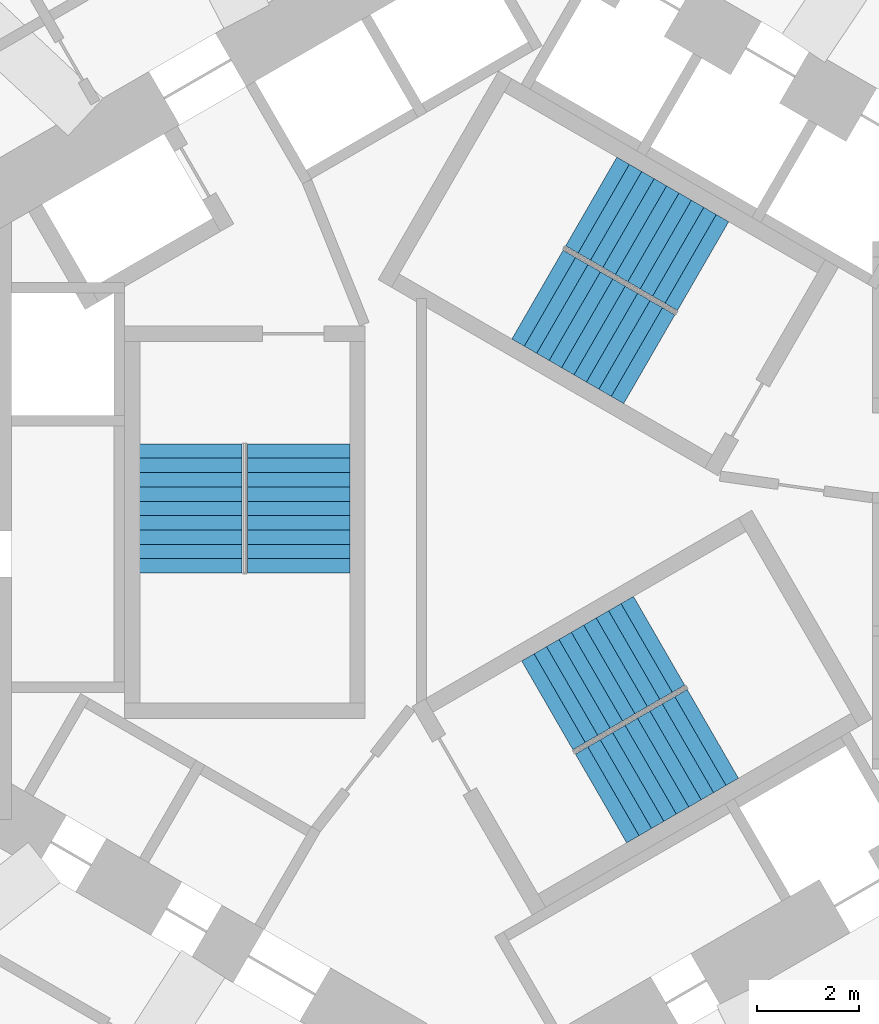
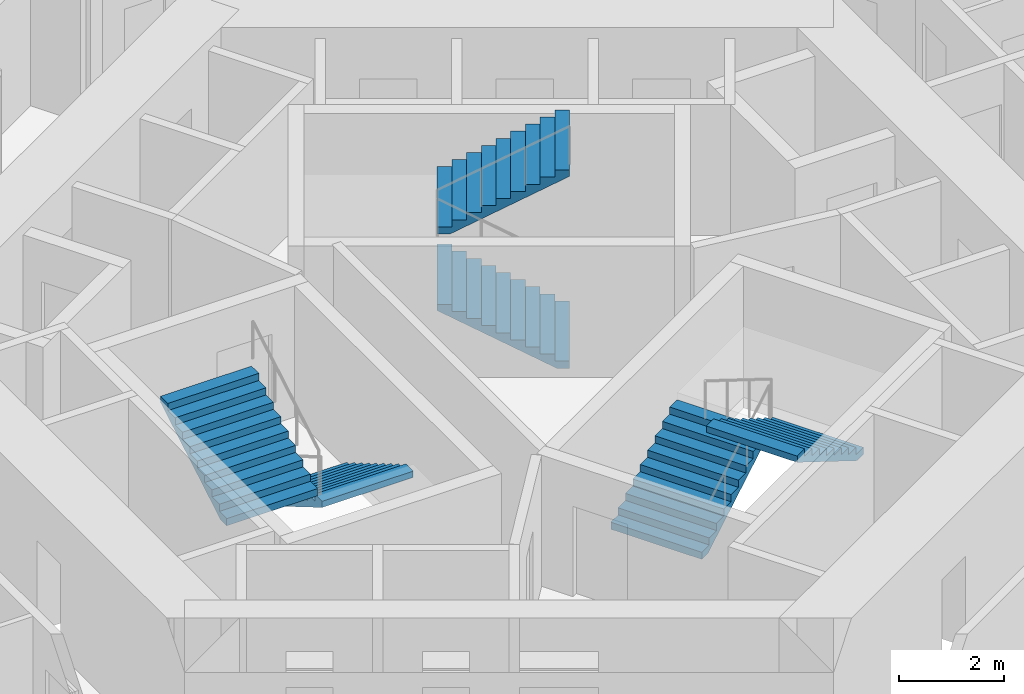
# One storey, part 10 of 12: 6 stair flights, 3 elements without a shape of their own.
"""IFC4 building model written with IfcOpenShell, lengths in metres."""

from ifc_helpers import new_model, si_unit, direction, frame, origin, place, context, subcontext, project, spatial, triangles, source, transform, mapped, material, type_object, element, aggregate, save


model = new_model("IFC4")

# Units and contexts
model_context = context("Model", 3, precision=1e-05, world=origin(), true_north=direction((0.0, 1.0)))
body_context = subcontext(model_context, "Body", "Model", "MODEL_VIEW")
ifc_project = project(units=[si_unit("LENGTHUNIT", "METRE"), si_unit("AREAUNIT", "SQUARE_METRE"), si_unit("VOLUMEUNIT", "CUBIC_METRE"), si_unit("PLANEANGLEUNIT", "RADIAN"), si_unit("MASSUNIT", "GRAM", prefix="KILO")], contexts=[model_context])

# Site, building, storey
site_placement = place(None, origin())
site = spatial("IfcSite", under=ifc_project, at=site_placement, CompositionType="ELEMENT")
building_placement = place(site_placement, origin())
building = spatial("IfcBuilding", under=site, at=building_placement, Name="Vanh Sen Convention Tower", CompositionType="ELEMENT")
storey_placement = place(building_placement, frame((0.0, 0.0, 57.199951171875)))
storey = spatial("IfcBuildingStorey", under=building, at=storey_placement, Name="L11", CompositionType="ELEMENT", Elevation=57.199951171875)

# Stair, stair flights
ifc_material_1 = material(Name="Concrete C50/60", Category="concrete")
stair_type_1 = type_object("IfcStairType", Name="Exit stair ST1 20 risers at 165.0", PredefinedType="HALF_TURN_STAIR", material=ifc_material_1)
stair_1_placement = place(storey_placement, origin())
stair_1 = element("IfcStair", 1, at=stair_1_placement, inside=storey, type_object=stair_type_1, Name="Exit stair ST1 L11", PredefinedType="HALF_TURN_STAIR")
ifc_material_2 = material(Name="Concrete C40/50", Category="concrete")
stair_flight_type = type_object("IfcStairFlightType", Name="Stair flight 2000", PredefinedType="STRAIGHT", material=ifc_material_2)
shared_shape = source(origin(), body_context, "Body", "Tessellation", [
    triangles([(0.24609375, 1.0, 0.0), (0.0, 1.0, 0.0), (0.0, 1.0, 0.1650390625), (0.280029296875, 1.0, 0.1650390625), (0.280029296875, 1.0, 0.330078125), (0.56005859375, 1.0, 0.330078125), (0.56005859375, 1.0, 0.4951171875), (0.840087890625, 1.0, 0.4951171875), (0.840087890625, 1.0, 0.659912109375), (1.1201171875, 1.0, 0.659912109375), (1.1201171875, 1.0, 0.824951171875), (1.39990234375, 1.0, 0.824951171875), (1.39990234375, 1.0, 0.989990234375), (1.679931640625, 1.0, 0.989990234375), (1.679931640625, 1.0, 1.155029296875), (1.9599609375, 1.0, 1.155029296875), (1.9599609375, 1.0, 1.320068359375), (2.239990234375, 1.0, 1.320068359375), (2.239990234375, 1.0, 1.485107421875), (2.52001953125, 1.0, 1.485107421875), (2.52001953125, 1.0, 1.33984375), (0.24609375, -1.0, 0.0), (0.0, -1.0, 0.0), (0.0, -1.0, 0.1650390625), (0.280029296875, -1.0, 0.1650390625), (0.280029296875, -1.0, 0.330078125), (0.56005859375, -1.0, 0.330078125), (0.56005859375, -1.0, 0.4951171875), (0.840087890625, -1.0, 0.4951171875), (0.840087890625, -1.0, 0.659912109375), (1.1201171875, -1.0, 0.659912109375), (1.1201171875, -1.0, 0.824951171875), (1.39990234375, -1.0, 0.824951171875), (1.39990234375, -1.0, 0.989990234375), (1.679931640625, -1.0, 0.989990234375), (1.679931640625, -1.0, 1.155029296875), (1.9599609375, -1.0, 1.155029296875), (1.9599609375, -1.0, 1.320068359375), (2.239990234375, -1.0, 1.320068359375), (2.239990234375, -1.0, 1.485107421875), (2.52001953125, -1.0, 1.485107421875), (2.52001953125, -1.0, 1.33984375), (0.0, 0.0400390625, 0.0), (0.0, 0.0390625, 0.0), (0.0, 0.0380859375, 0.0), (0.0, 0.037109375, 0.0), (0.0, 0.035888671875, 0.0), (0.0, 0.034912109375, 0.0), (0.0, 0.033935546875, 0.0), (0.0, 0.032958984375, 0.0), (0.0, 0.031982421875, 0.0), (0.0, 0.031005859375, 0.0), (0.0, 0.030029296875, 0.0), (0.0, 0.029052734375, 0.0), (0.0, 0.028076171875, 0.0), (0.0, 0.027099609375, 0.0), (0.0, 0.02587890625, 0.0), (0.0, 0.02490234375, 0.0), (0.0, 0.02392578125, 0.0), (0.0, 0.02294921875, 0.0), (0.0, 0.02197265625, 0.0), (0.0, 0.02099609375, 0.0), (0.0, 0.02001953125, 0.0), (0.0, 0.01904296875, 0.0), (0.0, 0.01806640625, 0.0), (0.0, 0.01708984375, 0.0), (0.0, 0.01611328125, 0.0), (0.0, 0.014892578125, 0.0), (0.0, 0.013916015625, 0.0), (0.0, 0.012939453125, 0.0), (0.0, 0.011962890625, 0.0), (0.0, 0.010986328125, 0.0), (0.0, 0.010009765625, 0.0), (0.0, 0.009033203125, 0.0), (0.0, 0.008056640625, 0.0), (0.0, 0.007080078125, 0.0), (0.0, 0.006103515625, 0.0), (0.0, 0.0048828125, 0.0), (0.0, 0.00390625, 0.0), (0.0, 0.0029296875, 0.0), (0.0, 0.001953125, 0.0), (0.0, 0.0009765625, 0.0), (0.0, 0.0, 0.0), (0.0, -0.0009765625, 0.0), (0.0, -0.001953125, 0.0), (0.0, -0.0029296875, 0.0), (0.0, -0.00390625, 0.0), (0.0, -0.0048828125, 0.0), (0.0, -0.006103515625, 0.0), (0.0, -0.007080078125, 0.0), (0.0, -0.008056640625, 0.0), (0.0, -0.009033203125, 0.0), (0.0, -0.010009765625, 0.0), (0.0, -0.010986328125, 0.0), (0.0, -0.011962890625, 0.0), (0.0, -0.012939453125, 0.0), (0.0, -0.013916015625, 0.0), (0.0, -0.014892578125, 0.0), (0.0, -0.01611328125, 0.0), (0.0, -0.01708984375, 0.0), (0.0, -0.01806640625, 0.0), (0.0, -0.01904296875, 0.0), (0.0, -0.02001953125, 0.0), (0.0, -0.02099609375, 0.0), (0.0, -0.02197265625, 0.0), (0.0, -0.02294921875, 0.0), (0.0, -0.02392578125, 0.0), (0.0, -0.02490234375, 0.0), (0.0, -0.02587890625, 0.0), (0.0, -0.027099609375, 0.0), (0.0, -0.028076171875, 0.0), (0.0, -0.029052734375, 0.0), (0.0, -0.030029296875, 0.0), (0.0, -0.031005859375, 0.0), (0.0, -0.031982421875, 0.0), (0.0, -0.032958984375, 0.0), (0.0, -0.033935546875, 0.0), (0.0, -0.034912109375, 0.0), (0.0, -0.035888671875, 0.0), (0.0, -0.037109375, 0.0), (0.0, -0.0380859375, 0.0), (0.0, -0.0390625, 0.0), (0.0, -0.0400390625, 0.0), (0.0, 0.0400390625, 0.1650390625), (0.0, 0.0390625, 0.1650390625), (0.0, 0.0380859375, 0.1650390625), (0.0, 0.037109375, 0.1650390625), (0.0, 0.035888671875, 0.1650390625), (0.0, 0.034912109375, 0.1650390625), (0.0, 0.033935546875, 0.1650390625), (0.0, 0.032958984375, 0.1650390625), (0.0, 0.031982421875, 0.1650390625), (0.0, 0.031005859375, 0.1650390625), (0.0, 0.030029296875, 0.1650390625), (0.0, 0.029052734375, 0.1650390625), (0.0, 0.028076171875, 0.1650390625), (0.0, 0.027099609375, 0.1650390625), (0.0, 0.02587890625, 0.1650390625), (0.0, 0.02490234375, 0.1650390625), (0.0, 0.02392578125, 0.1650390625), (0.0, 0.02294921875, 0.1650390625), (0.0, 0.02197265625, 0.1650390625), (0.0, 0.02099609375, 0.1650390625), (0.0, 0.02001953125, 0.1650390625), (0.0, 0.01904296875, 0.1650390625), (0.0, 0.01806640625, 0.1650390625), (0.0, 0.01708984375, 0.1650390625), (0.0, 0.01611328125, 0.1650390625), (0.0, 0.014892578125, 0.1650390625), (0.0, 0.013916015625, 0.1650390625), (0.0, 0.012939453125, 0.1650390625), (0.0, 0.011962890625, 0.1650390625), (0.0, 0.010986328125, 0.1650390625), (0.0, 0.010009765625, 0.1650390625), (0.0, 0.009033203125, 0.1650390625), (0.0, 0.008056640625, 0.1650390625), (0.0, 0.007080078125, 0.1650390625), (0.0, 0.006103515625, 0.1650390625), (0.0, 0.0048828125, 0.1650390625), (0.0, 0.00390625, 0.1650390625), (0.0, 0.0029296875, 0.1650390625), (0.0, 0.001953125, 0.1650390625), (0.0, 0.0009765625, 0.1650390625), (0.0, 0.0, 0.1650390625), (0.0, -0.0009765625, 0.1650390625), (0.0, -0.001953125, 0.1650390625), (0.0, -0.0029296875, 0.1650390625), (0.0, -0.00390625, 0.1650390625), (0.0, -0.0048828125, 0.1650390625), (0.0, -0.006103515625, 0.1650390625), (0.0, -0.007080078125, 0.1650390625), (0.0, -0.008056640625, 0.1650390625), (0.0, -0.009033203125, 0.1650390625), (0.0, -0.010009765625, 0.1650390625), (0.0, -0.010986328125, 0.1650390625), (0.0, -0.011962890625, 0.1650390625), (0.0, -0.012939453125, 0.1650390625), (0.0, -0.013916015625, 0.1650390625), (0.0, -0.014892578125, 0.1650390625), (0.0, -0.01611328125, 0.1650390625), (0.0, -0.01708984375, 0.1650390625), (0.0, -0.01806640625, 0.1650390625), (0.0, -0.01904296875, 0.1650390625), (0.0, -0.02001953125, 0.1650390625), (0.0, -0.02099609375, 0.1650390625), (0.0, -0.02197265625, 0.1650390625), (0.0, -0.02294921875, 0.1650390625), (0.0, -0.02392578125, 0.1650390625), (0.0, -0.02490234375, 0.1650390625), (0.0, -0.02587890625, 0.1650390625), (0.0, -0.027099609375, 0.1650390625), (0.0, -0.028076171875, 0.1650390625), (0.0, -0.029052734375, 0.1650390625), (0.0, -0.030029296875, 0.1650390625), (0.0, -0.031005859375, 0.1650390625), (0.0, -0.031982421875, 0.1650390625), (0.0, -0.032958984375, 0.1650390625), (0.0, -0.033935546875, 0.1650390625), (0.0, -0.034912109375, 0.1650390625), (0.0, -0.035888671875, 0.1650390625), (0.0, -0.037109375, 0.1650390625), (0.0, -0.0380859375, 0.1650390625), (0.0, -0.0390625, 0.1650390625), (0.0, -0.0400390625, 0.1650390625), (0.280029296875, 0.0, 0.1650390625), (0.280029296875, 0.0, 0.330078125), (0.56005859375, 0.0, 0.330078125), (0.56005859375, 0.0, 0.4951171875), (0.840087890625, 0.0, 0.4951171875), (0.840087890625, 0.0, 0.659912109375), (1.1201171875, 0.0, 0.659912109375), (1.1201171875, 0.0, 0.824951171875), (1.39990234375, 0.0, 0.824951171875), (1.39990234375, 0.0, 0.989990234375), (1.679931640625, 0.0, 0.989990234375), (1.679931640625, 0.0, 1.155029296875), (1.9599609375, 0.0, 1.155029296875), (1.9599609375, 0.0, 1.320068359375), (2.239990234375, 0.0, 1.320068359375), (2.239990234375, 0.0, 1.485107421875), (2.52001953125, 0.0400390625, 1.485107421875), (2.52001953125, 0.0390625, 1.485107421875), (2.52001953125, 0.0380859375, 1.485107421875), (2.52001953125, 0.037109375, 1.485107421875), (2.52001953125, 0.035888671875, 1.485107421875), (2.52001953125, 0.034912109375, 1.485107421875), (2.52001953125, 0.033935546875, 1.485107421875), (2.52001953125, 0.032958984375, 1.485107421875), (2.52001953125, 0.031982421875, 1.485107421875), (2.52001953125, 0.031005859375, 1.485107421875), (2.52001953125, 0.030029296875, 1.485107421875), (2.52001953125, 0.029052734375, 1.485107421875), (2.52001953125, 0.028076171875, 1.485107421875), (2.52001953125, 0.027099609375, 1.485107421875), (2.52001953125, 0.02587890625, 1.485107421875), (2.52001953125, 0.02490234375, 1.485107421875), (2.52001953125, 0.02392578125, 1.485107421875), (2.52001953125, 0.02294921875, 1.485107421875), (2.52001953125, 0.02197265625, 1.485107421875), (2.52001953125, 0.02099609375, 1.485107421875), (2.52001953125, 0.02001953125, 1.485107421875), (2.52001953125, 0.01904296875, 1.485107421875), (2.52001953125, 0.01806640625, 1.485107421875), (2.52001953125, 0.01708984375, 1.485107421875), (2.52001953125, 0.01611328125, 1.485107421875), (2.52001953125, 0.014892578125, 1.485107421875), (2.52001953125, 0.013916015625, 1.485107421875), (2.52001953125, 0.012939453125, 1.485107421875), (2.52001953125, 0.011962890625, 1.485107421875), (2.52001953125, 0.010986328125, 1.485107421875), (2.52001953125, 0.010009765625, 1.485107421875), (2.52001953125, 0.009033203125, 1.485107421875), (2.52001953125, 0.008056640625, 1.485107421875), (2.52001953125, 0.007080078125, 1.485107421875), (2.52001953125, 0.006103515625, 1.485107421875), (2.52001953125, 0.0048828125, 1.485107421875), (2.52001953125, 0.00390625, 1.485107421875), (2.52001953125, 0.0029296875, 1.485107421875), (2.52001953125, 0.001953125, 1.485107421875), (2.52001953125, 0.0009765625, 1.485107421875), (2.52001953125, 0.0, 1.485107421875), (2.52001953125, -0.0009765625, 1.485107421875), (2.52001953125, -0.001953125, 1.485107421875), (2.52001953125, -0.0029296875, 1.485107421875), (2.52001953125, -0.00390625, 1.485107421875), (2.52001953125, -0.0048828125, 1.485107421875), (2.52001953125, -0.006103515625, 1.485107421875), (2.52001953125, -0.007080078125, 1.485107421875), (2.52001953125, -0.008056640625, 1.485107421875), (2.52001953125, -0.009033203125, 1.485107421875), (2.52001953125, -0.010009765625, 1.485107421875), (2.52001953125, -0.010986328125, 1.485107421875), (2.52001953125, -0.011962890625, 1.485107421875), (2.52001953125, -0.012939453125, 1.485107421875), (2.52001953125, -0.013916015625, 1.485107421875), (2.52001953125, -0.014892578125, 1.485107421875), (2.52001953125, -0.01611328125, 1.485107421875), (2.52001953125, -0.01708984375, 1.485107421875), (2.52001953125, -0.01806640625, 1.485107421875), (2.52001953125, -0.01904296875, 1.485107421875), (2.52001953125, -0.02001953125, 1.485107421875), (2.52001953125, -0.02099609375, 1.485107421875), (2.52001953125, -0.02197265625, 1.485107421875), (2.52001953125, -0.02294921875, 1.485107421875), (2.52001953125, -0.02392578125, 1.485107421875), (2.52001953125, -0.02490234375, 1.485107421875), (2.52001953125, -0.02587890625, 1.485107421875), (2.52001953125, -0.027099609375, 1.485107421875), (2.52001953125, -0.028076171875, 1.485107421875), (2.52001953125, -0.029052734375, 1.485107421875), (2.52001953125, -0.030029296875, 1.485107421875), (2.52001953125, -0.031005859375, 1.485107421875), (2.52001953125, -0.031982421875, 1.485107421875), (2.52001953125, -0.032958984375, 1.485107421875), (2.52001953125, -0.033935546875, 1.485107421875), (2.52001953125, -0.034912109375, 1.485107421875), (2.52001953125, -0.035888671875, 1.485107421875), (2.52001953125, -0.037109375, 1.485107421875), (2.52001953125, -0.0380859375, 1.485107421875), (2.52001953125, -0.0390625, 1.485107421875), (2.52001953125, -0.0400390625, 1.485107421875), (2.52001953125, 0.0400390625, 1.33984375), (2.52001953125, 0.0390625, 1.33984375), (2.52001953125, 0.0380859375, 1.33984375), (2.52001953125, 0.037109375, 1.33984375), (2.52001953125, 0.035888671875, 1.33984375), (2.52001953125, 0.034912109375, 1.33984375), (2.52001953125, 0.033935546875, 1.33984375), (2.52001953125, 0.032958984375, 1.33984375), (2.52001953125, 0.031982421875, 1.33984375), (2.52001953125, 0.031005859375, 1.33984375), (2.52001953125, 0.030029296875, 1.33984375), (2.52001953125, 0.029052734375, 1.33984375), (2.52001953125, 0.028076171875, 1.33984375), (2.52001953125, 0.027099609375, 1.33984375), (2.52001953125, 0.02587890625, 1.33984375), (2.52001953125, 0.02490234375, 1.33984375), (2.52001953125, 0.02392578125, 1.33984375), (2.52001953125, 0.02294921875, 1.33984375), (2.52001953125, 0.02197265625, 1.33984375), (2.52001953125, 0.02099609375, 1.33984375), (2.52001953125, 0.02001953125, 1.33984375), (2.52001953125, 0.01904296875, 1.33984375), (2.52001953125, 0.01806640625, 1.33984375), (2.52001953125, 0.01708984375, 1.33984375), (2.52001953125, 0.01611328125, 1.33984375), (2.52001953125, 0.014892578125, 1.33984375), (2.52001953125, 0.013916015625, 1.33984375), (2.52001953125, 0.012939453125, 1.33984375), (2.52001953125, 0.011962890625, 1.33984375), (2.52001953125, 0.010986328125, 1.33984375), (2.52001953125, 0.010009765625, 1.33984375), (2.52001953125, 0.009033203125, 1.33984375), (2.52001953125, 0.008056640625, 1.33984375), (2.52001953125, 0.007080078125, 1.33984375), (2.52001953125, 0.006103515625, 1.33984375), (2.52001953125, 0.0048828125, 1.33984375), (2.52001953125, 0.00390625, 1.33984375), (2.52001953125, 0.0029296875, 1.33984375), (2.52001953125, 0.001953125, 1.33984375), (2.52001953125, 0.0009765625, 1.33984375), (2.52001953125, 0.0, 1.33984375), (2.52001953125, -0.0009765625, 1.33984375), (2.52001953125, -0.001953125, 1.33984375), (2.52001953125, -0.0029296875, 1.33984375), (2.52001953125, -0.00390625, 1.33984375), (2.52001953125, -0.0048828125, 1.33984375), (2.52001953125, -0.006103515625, 1.33984375), (2.52001953125, -0.007080078125, 1.33984375), (2.52001953125, -0.008056640625, 1.33984375), (2.52001953125, -0.009033203125, 1.33984375), (2.52001953125, -0.010009765625, 1.33984375), (2.52001953125, -0.010986328125, 1.33984375), (2.52001953125, -0.011962890625, 1.33984375), (2.52001953125, -0.012939453125, 1.33984375), (2.52001953125, -0.013916015625, 1.33984375), (2.52001953125, -0.014892578125, 1.33984375), (2.52001953125, -0.01611328125, 1.33984375), (2.52001953125, -0.01708984375, 1.33984375), (2.52001953125, -0.01806640625, 1.33984375), (2.52001953125, -0.01904296875, 1.33984375), (2.52001953125, -0.02001953125, 1.33984375), (2.52001953125, -0.02099609375, 1.33984375), (2.52001953125, -0.02197265625, 1.33984375), (2.52001953125, -0.02294921875, 1.33984375), (2.52001953125, -0.02392578125, 1.33984375), (2.52001953125, -0.02490234375, 1.33984375), (2.52001953125, -0.02587890625, 1.33984375), (2.52001953125, -0.027099609375, 1.33984375), (2.52001953125, -0.028076171875, 1.33984375), (2.52001953125, -0.029052734375, 1.33984375), (2.52001953125, -0.030029296875, 1.33984375), (2.52001953125, -0.031005859375, 1.33984375), (2.52001953125, -0.031982421875, 1.33984375), (2.52001953125, -0.032958984375, 1.33984375), (2.52001953125, -0.033935546875, 1.33984375), (2.52001953125, -0.034912109375, 1.33984375), (2.52001953125, -0.035888671875, 1.33984375), (2.52001953125, -0.037109375, 1.33984375), (2.52001953125, -0.0380859375, 1.33984375), (2.52001953125, -0.0390625, 1.33984375), (2.52001953125, -0.0400390625, 1.33984375), (0.24609375, 0.0, 0.0)], [[1, 2, 3], [1, 3, 4], [4, 5, 6], [1, 4, 6], [6, 7, 8], [1, 6, 8], [8, 9, 10], [1, 8, 10], [10, 11, 12], [1, 10, 12], [12, 13, 14], [1, 12, 14], [14, 15, 16], [1, 14, 16], [16, 17, 18], [1, 16, 18], [18, 19, 20], [1, 18, 20], [20, 21, 1], [22, 24, 23], [22, 25, 24], [25, 27, 26], [22, 27, 25], [27, 29, 28], [22, 29, 27], [29, 31, 30], [22, 31, 29], [31, 33, 32], [22, 33, 31], [33, 35, 34], [22, 35, 33], [35, 37, 36], [22, 37, 35], [37, 39, 38], [22, 39, 37], [39, 41, 40], [22, 41, 39], [41, 22, 42], [2, 124, 3], [2, 43, 124], [43, 125, 124], [43, 44, 125], [44, 126, 125], [44, 45, 126], [45, 127, 126], [45, 46, 127], [46, 128, 127], [46, 47, 128], [47, 129, 128], [47, 48, 129], [48, 130, 129], [48, 49, 130], [49, 131, 130], [49, 50, 131], [50, 132, 131], [50, 51, 132], [51, 133, 132], [51, 52, 133], [52, 134, 133], [52, 53, 134], [53, 135, 134], [53, 54, 135], [54, 136, 135], [54, 55, 136], [55, 137, 136], [55, 56, 137], [56, 138, 137], [56, 57, 138], [57, 139, 138], [57, 58, 139], [58, 140, 139], [58, 59, 140], [59, 141, 140], [59, 60, 141], [60, 142, 141], [60, 61, 142], [61, 143, 142], [61, 62, 143], [62, 144, 143], [62, 63, 144], [63, 145, 144], [63, 64, 145], [64, 146, 145], [64, 65, 146], [65, 147, 146], [65, 66, 147], [66, 148, 147], [66, 67, 148], [67, 149, 148], [67, 68, 149], [68, 150, 149], [68, 69, 150], [69, 151, 150], [69, 70, 151], [70, 152, 151], [70, 71, 152], [71, 153, 152], [71, 72, 153], [72, 154, 153], [72, 73, 154], [73, 155, 154], [73, 74, 155], [74, 156, 155], [74, 75, 156], [75, 157, 156], [75, 76, 157], [76, 158, 157], [76, 77, 158], [77, 159, 158], [77, 78, 159], [78, 160, 159], [78, 79, 160], [79, 161, 160], [79, 80, 161], [80, 162, 161], [80, 81, 162], [81, 163, 162], [81, 82, 163], [82, 164, 163], [82, 83, 164], [83, 84, 164], [164, 84, 165], [84, 85, 165], [165, 85, 166], [85, 86, 166], [166, 86, 167], [86, 87, 167], [167, 87, 168], [87, 88, 168], [168, 88, 169], [88, 89, 169], [169, 89, 170], [89, 90, 170], [170, 90, 171], [90, 91, 171], [171, 91, 172], [91, 92, 172], [172, 92, 173], [92, 93, 173], [173, 93, 174], [93, 94, 174], [174, 94, 175], [94, 95, 175], [175, 95, 176], [95, 96, 176], [176, 96, 177], [96, 97, 177], [177, 97, 178], [97, 98, 178], [178, 98, 179], [98, 99, 179], [179, 99, 180], [99, 100, 180], [180, 100, 181], [100, 101, 181], [181, 101, 182], [101, 102, 182], [182, 102, 183], [102, 103, 183], [183, 103, 184], [103, 104, 184], [184, 104, 185], [104, 105, 185], [185, 105, 186], [105, 106, 186], [186, 106, 187], [106, 107, 187], [187, 107, 188], [107, 108, 188], [188, 108, 189], [108, 109, 189], [189, 109, 190], [109, 110, 190], [190, 110, 191], [110, 111, 191], [191, 111, 192], [111, 112, 192], [192, 112, 193], [112, 113, 193], [193, 113, 194], [113, 114, 194], [194, 114, 195], [114, 115, 195], [195, 115, 196], [115, 116, 196], [196, 116, 197], [116, 117, 197], [197, 117, 198], [117, 118, 198], [198, 118, 199], [118, 119, 199], [199, 119, 200], [119, 120, 200], [200, 120, 201], [120, 121, 201], [201, 121, 202], [121, 122, 202], [202, 122, 203], [122, 123, 203], [203, 123, 204], [123, 23, 204], [204, 23, 24], [4, 3, 124], [4, 124, 125], [4, 125, 126], [4, 126, 127], [4, 127, 128], [4, 128, 129], [4, 129, 130], [4, 130, 131], [4, 131, 132], [4, 132, 133], [4, 133, 134], [4, 134, 135], [4, 135, 136], [4, 136, 137], [4, 137, 138], [4, 138, 139], [4, 139, 140], [4, 140, 141], [4, 141, 142], [4, 142, 143], [4, 143, 144], [4, 144, 145], [4, 145, 146], [4, 146, 147], [4, 147, 148], [4, 148, 149], [4, 149, 150], [4, 150, 151], [4, 151, 152], [4, 152, 153], [4, 153, 154], [4, 154, 155], [4, 155, 156], [4, 156, 157], [4, 157, 158], [4, 158, 159], [4, 159, 160], [4, 160, 161], [4, 161, 162], [4, 162, 163], [4, 163, 164], [25, 164, 165], [25, 165, 166], [25, 166, 167], [25, 167, 168], [25, 168, 169], [25, 169, 170], [25, 170, 171], [25, 171, 172], [25, 172, 173], [25, 173, 174], [25, 174, 175], [25, 175, 176], [25, 176, 177], [25, 177, 178], [25, 178, 179], [25, 179, 180], [25, 180, 181], [25, 181, 182], [25, 182, 183], [25, 183, 184], [25, 184, 185], [25, 185, 186], [25, 186, 187], [25, 187, 188], [25, 188, 189], [25, 189, 190], [25, 190, 191], [25, 191, 192], [25, 192, 193], [25, 193, 194], [25, 194, 195], [25, 195, 196], [25, 196, 197], [25, 197, 198], [25, 198, 199], [25, 199, 200], [25, 200, 201], [25, 201, 202], [25, 202, 203], [25, 203, 204], [25, 204, 24], [4, 164, 205], [25, 205, 164], [4, 206, 5], [4, 205, 206], [205, 25, 206], [206, 25, 26], [5, 207, 6], [5, 206, 207], [206, 26, 207], [207, 26, 27], [6, 208, 7], [6, 207, 208], [207, 27, 208], [208, 27, 28], [7, 209, 8], [7, 208, 209], [208, 28, 209], [209, 28, 29], [8, 210, 9], [8, 209, 210], [209, 29, 210], [210, 29, 30], [9, 211, 10], [9, 210, 211], [210, 30, 211], [211, 30, 31], [10, 212, 11], [10, 211, 212], [211, 31, 212], [212, 31, 32], [11, 213, 12], [11, 212, 213], [212, 32, 213], [213, 32, 33], [12, 214, 13], [12, 213, 214], [213, 33, 214], [214, 33, 34], [13, 215, 14], [13, 214, 215], [214, 34, 215], [215, 34, 35], [14, 216, 15], [14, 215, 216], [215, 35, 216], [216, 35, 36], [15, 217, 16], [15, 216, 217], [216, 36, 217], [217, 36, 37], [16, 218, 17], [16, 217, 218], [217, 37, 218], [218, 37, 38], [17, 219, 18], [17, 218, 219], [218, 38, 219], [219, 38, 39], [18, 220, 19], [18, 219, 220], [219, 39, 220], [220, 39, 40], [19, 221, 20], [19, 222, 221], [19, 223, 222], [19, 224, 223], [19, 225, 224], [19, 226, 225], [19, 227, 226], [19, 228, 227], [19, 229, 228], [19, 230, 229], [19, 231, 230], [19, 232, 231], [19, 233, 232], [19, 234, 233], [19, 235, 234], [19, 236, 235], [19, 237, 236], [19, 238, 237], [19, 239, 238], [19, 240, 239], [19, 241, 240], [19, 242, 241], [19, 243, 242], [19, 244, 243], [19, 245, 244], [19, 246, 245], [19, 247, 246], [19, 248, 247], [19, 249, 248], [19, 250, 249], [19, 251, 250], [19, 252, 251], [19, 253, 252], [19, 254, 253], [19, 255, 254], [19, 256, 255], [19, 257, 256], [19, 258, 257], [19, 259, 258], [19, 260, 259], [19, 261, 260], [40, 262, 261], [40, 263, 262], [40, 264, 263], [40, 265, 264], [40, 266, 265], [40, 267, 266], [40, 268, 267], [40, 269, 268], [40, 270, 269], [40, 271, 270], [40, 272, 271], [40, 273, 272], [40, 274, 273], [40, 275, 274], [40, 276, 275], [40, 277, 276], [40, 278, 277], [40, 279, 278], [40, 280, 279], [40, 281, 280], [40, 282, 281], [40, 283, 282], [40, 284, 283], [40, 285, 284], [40, 286, 285], [40, 287, 286], [40, 288, 287], [40, 289, 288], [40, 290, 289], [40, 291, 290], [40, 292, 291], [40, 293, 292], [40, 294, 293], [40, 295, 294], [40, 296, 295], [40, 297, 296], [40, 298, 297], [40, 299, 298], [40, 300, 299], [40, 301, 300], [40, 41, 301], [19, 220, 261], [40, 261, 220], [20, 302, 21], [20, 221, 302], [221, 303, 302], [221, 222, 303], [222, 304, 303], [222, 223, 304], [223, 305, 304], [223, 224, 305], [224, 306, 305], [224, 225, 306], [225, 307, 306], [225, 226, 307], [226, 308, 307], [226, 227, 308], [227, 309, 308], [227, 228, 309], [228, 310, 309], [228, 229, 310], [229, 311, 310], [229, 230, 311], [230, 312, 311], [230, 231, 312], [231, 313, 312], [231, 232, 313], [232, 314, 313], [232, 233, 314], [233, 315, 314], [233, 234, 315], [234, 316, 315], [234, 235, 316], [235, 317, 316], [235, 236, 317], [236, 318, 317], [236, 237, 318], [237, 319, 318], [237, 238, 319], [238, 320, 319], [238, 239, 320], [239, 321, 320], [239, 240, 321], [240, 322, 321], [240, 241, 322], [241, 323, 322], [241, 242, 323], [242, 324, 323], [242, 243, 324], [243, 325, 324], [243, 244, 325], [244, 326, 325], [244, 245, 326], [245, 327, 326], [245, 246, 327], [246, 328, 327], [246, 247, 328], [247, 329, 328], [247, 248, 329], [248, 330, 329], [248, 249, 330], [249, 331, 330], [249, 250, 331], [250, 332, 331], [250, 251, 332], [251, 333, 332], [251, 252, 333], [252, 334, 333], [252, 253, 334], [253, 335, 334], [253, 254, 335], [254, 336, 335], [254, 255, 336], [255, 337, 336], [255, 256, 337], [256, 338, 337], [256, 257, 338], [257, 339, 338], [257, 258, 339], [258, 340, 339], [258, 259, 340], [259, 341, 340], [259, 260, 341], [260, 342, 341], [260, 261, 342], [261, 262, 342], [342, 262, 343], [262, 263, 343], [343, 263, 344], [263, 264, 344], [344, 264, 345], [264, 265, 345], [345, 265, 346], [265, 266, 346], [346, 266, 347], [266, 267, 347], [347, 267, 348], [267, 268, 348], [348, 268, 349], [268, 269, 349], [349, 269, 350], [269, 270, 350], [350, 270, 351], [270, 271, 351], [351, 271, 352], [271, 272, 352], [352, 272, 353], [272, 273, 353], [353, 273, 354], [273, 274, 354], [354, 274, 355], [274, 275, 355], [355, 275, 356], [275, 276, 356], [356, 276, 357], [276, 277, 357], [357, 277, 358], [277, 278, 358], [358, 278, 359], [278, 279, 359], [359, 279, 360], [279, 280, 360], [360, 280, 361], [280, 281, 361], [361, 281, 362], [281, 282, 362], [362, 282, 363], [282, 283, 363], [363, 283, 364], [283, 284, 364], [364, 284, 365], [284, 285, 365], [365, 285, 366], [285, 286, 366], [366, 286, 367], [286, 287, 367], [367, 287, 368], [287, 288, 368], [368, 288, 369], [288, 289, 369], [369, 289, 370], [289, 290, 370], [370, 290, 371], [290, 291, 371], [371, 291, 372], [291, 292, 372], [372, 292, 373], [292, 293, 373], [373, 293, 374], [293, 294, 374], [374, 294, 375], [294, 295, 375], [375, 295, 376], [295, 296, 376], [376, 296, 377], [296, 297, 377], [377, 297, 378], [297, 298, 378], [378, 298, 379], [298, 299, 379], [379, 299, 380], [299, 300, 380], [380, 300, 381], [300, 301, 381], [381, 301, 382], [301, 41, 382], [382, 41, 42], [1, 21, 302], [1, 302, 303], [1, 303, 304], [1, 304, 305], [1, 305, 306], [1, 306, 307], [1, 307, 308], [1, 308, 309], [1, 309, 310], [1, 310, 311], [1, 311, 312], [1, 312, 313], [1, 313, 314], [1, 314, 315], [1, 315, 316], [1, 316, 317], [1, 317, 318], [1, 318, 319], [1, 319, 320], [1, 320, 321], [1, 321, 322], [1, 322, 323], [1, 323, 324], [1, 324, 325], [1, 325, 326], [1, 326, 327], [1, 327, 328], [1, 328, 329], [1, 329, 330], [1, 330, 331], [1, 331, 332], [1, 332, 333], [1, 333, 334], [1, 334, 335], [1, 335, 336], [1, 336, 337], [1, 337, 338], [1, 338, 339], [1, 339, 340], [1, 340, 341], [1, 341, 342], [22, 342, 343], [22, 343, 344], [22, 344, 345], [22, 345, 346], [22, 346, 347], [22, 347, 348], [22, 348, 349], [22, 349, 350], [22, 350, 351], [22, 351, 352], [22, 352, 353], [22, 353, 354], [22, 354, 355], [22, 355, 356], [22, 356, 357], [22, 357, 358], [22, 358, 359], [22, 359, 360], [22, 360, 361], [22, 361, 362], [22, 362, 363], [22, 363, 364], [22, 364, 365], [22, 365, 366], [22, 366, 367], [22, 367, 368], [22, 368, 369], [22, 369, 370], [22, 370, 371], [22, 371, 372], [22, 372, 373], [22, 373, 374], [22, 374, 375], [22, 375, 376], [22, 376, 377], [22, 377, 378], [22, 378, 379], [22, 379, 380], [22, 380, 381], [22, 381, 382], [22, 382, 42], [1, 342, 383], [22, 383, 342], [1, 43, 2], [1, 44, 43], [1, 45, 44], [1, 46, 45], [1, 47, 46], [1, 48, 47], [1, 49, 48], [1, 50, 49], [1, 51, 50], [1, 52, 51], [1, 53, 52], [1, 54, 53], [1, 55, 54], [1, 56, 55], [1, 57, 56], [1, 58, 57], [1, 59, 58], [1, 60, 59], [1, 61, 60], [1, 62, 61], [1, 63, 62], [1, 64, 63], [1, 65, 64], [1, 66, 65], [1, 67, 66], [1, 68, 67], [1, 69, 68], [1, 70, 69], [1, 71, 70], [1, 72, 71], [1, 73, 72], [1, 74, 73], [1, 75, 74], [1, 76, 75], [1, 77, 76], [1, 78, 77], [1, 79, 78], [1, 80, 79], [1, 81, 80], [1, 82, 81], [1, 83, 82], [22, 84, 83], [22, 85, 84], [22, 86, 85], [22, 87, 86], [22, 88, 87], [22, 89, 88], [22, 90, 89], [22, 91, 90], [22, 92, 91], [22, 93, 92], [22, 94, 93], [22, 95, 94], [22, 96, 95], [22, 97, 96], [22, 98, 97], [22, 99, 98], [22, 100, 99], [22, 101, 100], [22, 102, 101], [22, 103, 102], [22, 104, 103], [22, 105, 104], [22, 106, 105], [22, 107, 106], [22, 108, 107], [22, 109, 108], [22, 110, 109], [22, 111, 110], [22, 112, 111], [22, 113, 112], [22, 114, 113], [22, 115, 114], [22, 116, 115], [22, 117, 116], [22, 118, 117], [22, 119, 118], [22, 120, 119], [22, 121, 120], [22, 122, 121], [22, 123, 122], [22, 23, 123], [1, 383, 83], [22, 83, 383]], closed=True),
])
stair_flight_1_placement = place(storey_placement, frame((2.94580078125, 2.802490234375, 0.0), z_axis=(0.0, 0.0, 1.0), x_axis=(-0.866025403784, 0.5, 0.0)))
stair_flight_1 = element("IfcStairFlight", 2, at=stair_flight_1_placement, type_object=stair_flight_type, Name="ST1 flight 1", NumberOfRisers=10, NumberOfTreads=9, PredefinedType="STRAIGHT", RiserHeight=0.165, TreadLength=0.28, context=body_context, shape_type="MappedRepresentation", body=[
    mapped(shared_shape, transform((0.0, 0.0, 0.0))),
])
stair_flight_2_placement = place(storey_placement, frame((1.8134765625, 5.881103515625, 1.650146484375), z_axis=(0.0, 0.0, 1.0), x_axis=(0.866025403784, -0.5, 0.0)))
stair_flight_2 = element("IfcStairFlight", 3, at=stair_flight_2_placement, type_object=stair_flight_type, Name="ST1 flight 2", NumberOfRisers=10, NumberOfTreads=9, PredefinedType="STRAIGHT", RiserHeight=0.165, TreadLength=0.28, context=body_context, shape_type="MappedRepresentation", body=[
    mapped(shared_shape, transform((0.0, 0.0, 0.0))),
])
aggregate(stair_1, [stair_flight_1, stair_flight_2])

stair_type_2 = type_object("IfcStairType", Name="Exit stair ST2 20 risers at 165.0", PredefinedType="HALF_TURN_STAIR", material=ifc_material_1)
stair_2_placement = place(storey_placement, origin())
stair_2 = element("IfcStair", 4, at=stair_2_placement, inside=storey, type_object=stair_type_2, Name="Exit stair ST2 L11", PredefinedType="HALF_TURN_STAIR")
stair_flight_3_placement = place(storey_placement, frame((-3.89990234375, 1.14990234375, 0.0), z_axis=(0.0, 0.0, 1.0), x_axis=(0.0, -1.0, 0.0)))
stair_flight_3 = element("IfcStairFlight", 5, at=stair_flight_3_placement, type_object=stair_flight_type, Name="ST2 flight 1", NumberOfRisers=10, NumberOfTreads=9, PredefinedType="STRAIGHT", RiserHeight=0.165, TreadLength=0.28, context=body_context, shape_type="MappedRepresentation", body=[
    mapped(shared_shape, transform((0.0, 0.0, 0.0))),
])
stair_flight_4_placement = place(storey_placement, frame((-6.0, -1.3701171875, 1.650146484375), z_axis=(0.0, 0.0, 1.0), x_axis=(0.0, 1.0, 0.0)))
stair_flight_4 = element("IfcStairFlight", 6, at=stair_flight_4_placement, type_object=stair_flight_type, Name="ST2 flight 2", NumberOfRisers=10, NumberOfTreads=9, PredefinedType="STRAIGHT", RiserHeight=0.165, TreadLength=0.28, context=body_context, shape_type="MappedRepresentation", body=[
    mapped(shared_shape, transform((0.0, 0.0, 0.0))),
])
aggregate(stair_2, [stair_flight_3, stair_flight_4])

stair_type_3 = type_object("IfcStairType", Name="Exit stair ST3 20 risers at 165.0", PredefinedType="HALF_TURN_STAIR", material=ifc_material_1)
stair_3_placement = place(storey_placement, origin())
stair_3 = element("IfcStair", 7, at=stair_3_placement, inside=storey, type_object=stair_type_3, Name="Exit stair ST3 L11", PredefinedType="HALF_TURN_STAIR")
stair_flight_5_placement = place(storey_placement, frame((0.9541015625, -3.952392578125, 0.0), z_axis=(0.0, 0.0, 1.0), x_axis=(0.866025403784, 0.5, 0.0)))
stair_flight_5 = element("IfcStairFlight", 8, at=stair_flight_5_placement, type_object=stair_flight_type, Name="ST3 flight 1", NumberOfRisers=10, NumberOfTreads=9, PredefinedType="STRAIGHT", RiserHeight=0.165, TreadLength=0.28, context=body_context, shape_type="MappedRepresentation", body=[
    mapped(shared_shape, transform((0.0, 0.0, 0.0))),
])
stair_flight_6_placement = place(storey_placement, frame((4.1865234375, -4.51123046875, 1.650146484375), z_axis=(0.0, 0.0, 1.0), x_axis=(-0.866025403784, -0.5, 0.0)))
stair_flight_6 = element("IfcStairFlight", 9, at=stair_flight_6_placement, type_object=stair_flight_type, Name="ST3 flight 2", NumberOfRisers=10, NumberOfTreads=9, PredefinedType="STRAIGHT", RiserHeight=0.165, TreadLength=0.28, context=body_context, shape_type="MappedRepresentation", body=[
    mapped(shared_shape, transform((0.0, 0.0, 0.0))),
])
aggregate(stair_3, [stair_flight_5, stair_flight_6])

save(model, "model.ifc")
